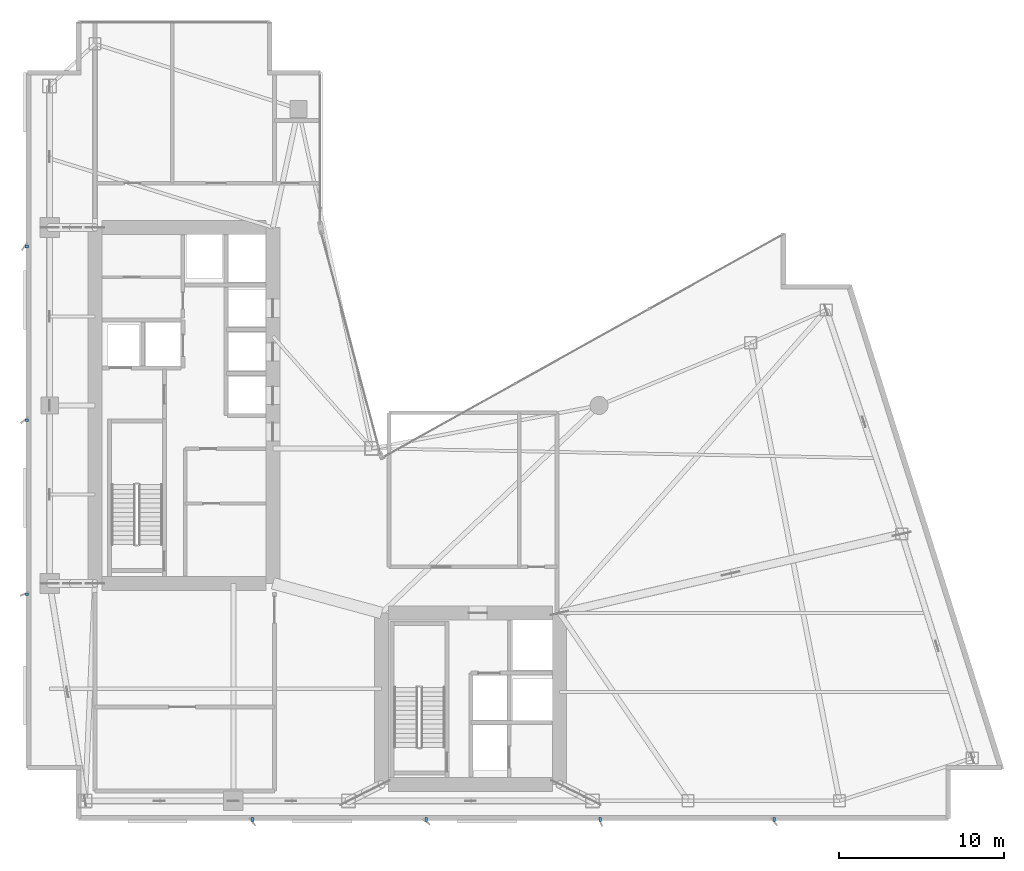
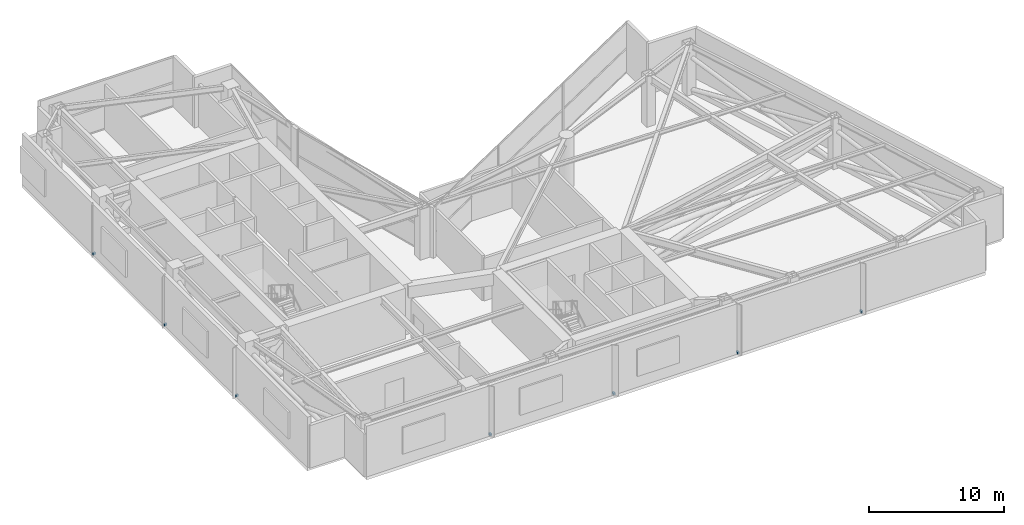
# One storey, part 17 of 19: 7 discrete accessories.
"""IFC4 building model written with IfcOpenShell, lengths in metres."""

from ifc_helpers import new_model, si_unit, direction, frame, origin, origin_2d, place, context, subcontext, project, spatial, rectangle, extrude, material, type_object, element, save


model = new_model("IFC4")

# Units and contexts
model_context = context("Model", 3, precision=1e-05, world=origin(), true_north=direction((0.0, 1.0)))
body_context = subcontext(model_context, "Body", "Model", "MODEL_VIEW")
ifc_project = project(units=[si_unit("LENGTHUNIT", "METRE"), si_unit("AREAUNIT", "SQUARE_METRE"), si_unit("VOLUMEUNIT", "CUBIC_METRE"), si_unit("PLANEANGLEUNIT", "RADIAN"), si_unit("MASSUNIT", "GRAM", prefix="KILO")], contexts=[model_context])

# Site, building, storey
site_placement = place(None, origin())
site = spatial("IfcSite", under=ifc_project, at=site_placement, CompositionType="ELEMENT")
building_placement = place(site_placement, origin())
building = spatial("IfcBuilding", under=site, at=building_placement, Name="Calvorn Quay Hotel", CompositionType="ELEMENT")
storey_placement = place(building_placement, frame((0.0, 0.0, 139.199951171875)))
storey = spatial("IfcBuildingStorey", under=building, at=storey_placement, Name="L34", CompositionType="ELEMENT", Elevation=139.199951171875)

# Discrete accessories
ifc_material = material(Name="Steel Q355B", Category="steel")
discrete_accessory_type = type_object("IfcDiscreteAccessoryType", Name="ACC-FIN-BRACKET", PredefinedType="BRACKET", material=ifc_material)
for number, where, z_axis, x_axis, name in (
    (1, (0.06005859375, 16.14990234375, 0.0302734375), (0.0, 0.0, 1.0), (1.0, 0.0, 0.0), "Fin Anchor Bracket L34-W01"),
    (2, (0.06005859375, 26.699951171875, 0.0302734375), (0.0, 0.0, 1.0), (1.0, 0.0, 0.0), "Fin Anchor Bracket L34-W02"),
    (3, (0.06005859375, 37.25, 0.0302734375), (0.0, 0.0, 1.0), (1.0, 0.0, 0.0), "Fin Anchor Bracket L34-W03"),
    (4, (13.760009765625, 2.4599609375, 0.0302734375), (0.0, 0.0, 1.0), (0.0, 1.0, 0.0), "Fin Anchor Bracket L34-S01"),
    (5, (24.320068359375, 2.4599609375, 0.0302734375), (0.0, 0.0, 1.0), (0.0, 1.0, 0.0), "Fin Anchor Bracket L34-S02"),
    (6, (34.8798828125, 2.4599609375, 0.0302734375), (0.0, 0.0, 1.0), (0.0, 1.0, 0.0), "Fin Anchor Bracket L34-S03"),
    (7, (45.43994140625, 2.4599609375, 0.0302734375), (0.0, 0.0, 1.0), (0.0, 1.0, 0.0), "Fin Anchor Bracket L34-S04"),
):
    element("IfcDiscreteAccessory", number, at=place(storey_placement, frame(where, z_axis=z_axis, x_axis=x_axis)), inside=storey, type_object=discrete_accessory_type, Name=name, PredefinedType="BRACKET", context=body_context, shape_type="SweptSolid", body=[
        extrude(rectangle(XDim=0.239990234375, YDim=0.159912109375, at=origin_2d()), origin(), (0.0, 0.0, 1.0), 0.179931640625),
    ])

save(model, "model.ifc")
